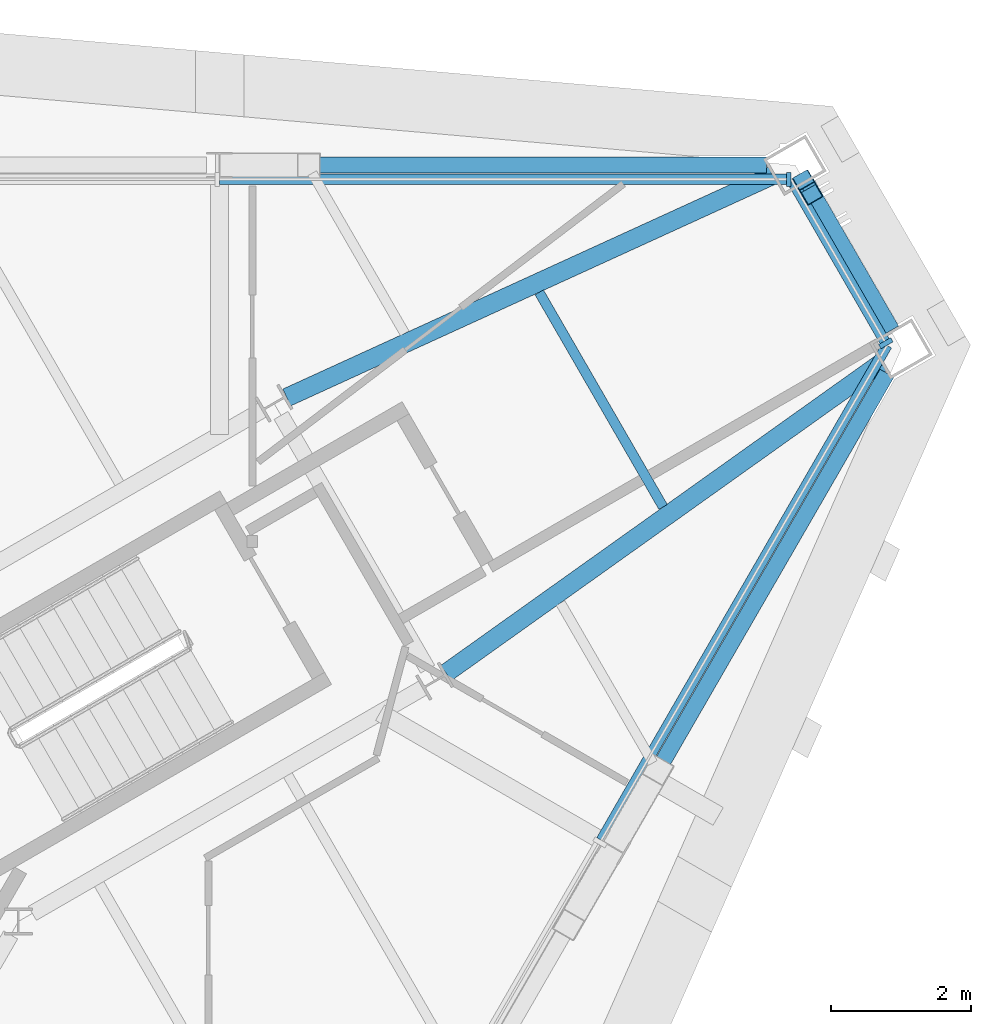
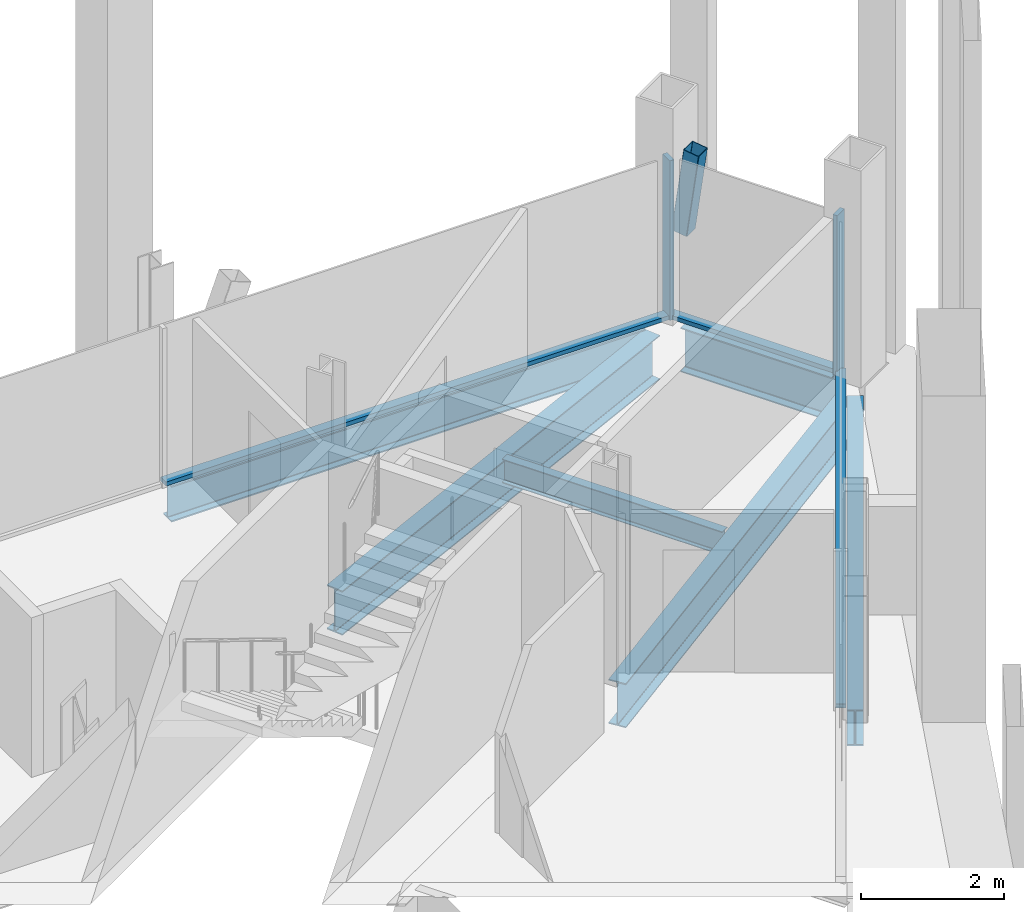
# One storey, part 6 of 13: 6 beams, 6 members, 3 elements without a shape of their own.
"""IFC4 building model written with IfcOpenShell, lengths in metres."""

from ifc_helpers import new_model, si_unit, direction, frame, origin, origin_2d, place, context, subcontext, project, spatial, rectangle, hollow_rectangle, i_section, extrude, material, material_profile, profile_set, type_object, element, aggregate, save


model = new_model("IFC4")

# Units and contexts
model_context = context("Model", 3, precision=1e-05, world=origin(), true_north=direction((0.0, 1.0)))
body_context = subcontext(model_context, "Body", "Model", "MODEL_VIEW")
ifc_project = project(units=[si_unit("LENGTHUNIT", "METRE"), si_unit("AREAUNIT", "SQUARE_METRE"), si_unit("VOLUMEUNIT", "CUBIC_METRE"), si_unit("PLANEANGLEUNIT", "RADIAN"), si_unit("MASSUNIT", "GRAM", prefix="KILO")], contexts=[model_context])

# Site, building, storey
site_placement = place(None, origin())
site = spatial("IfcSite", under=ifc_project, at=site_placement, CompositionType="ELEMENT")
building_placement = place(site_placement, origin())
building = spatial("IfcBuilding", under=site, at=building_placement, Name="Verrane Prism Tower", CompositionType="ELEMENT")
storey_placement = place(building_placement, frame((0.0, 0.0, 286.199951171875)))
storey = spatial("IfcBuildingStorey", under=building, at=storey_placement, Name="L72", CompositionType="ELEMENT", Elevation=286.199951171875)

# Member
ifc_material_1 = material(Name="Steel A500 Grade C", Category="steel")
ifc_material_profile_1 = material_profile(ifc_material_1, hollow_rectangle(XDim=0.25390625, YDim=0.25390625, WallThickness=0.009521484375, InnerFilletRadius=0.0048828125, OuterFilletRadius=0.014404296875, at=origin_2d()), Name="HSS10x10x3/8")
ifc_profile_set_1 = profile_set([ifc_material_profile_1], Name="Steel A500 Grade C")
member_type_1 = type_object("IfcMemberType", Name="Chamfer brace HSS10x10x3/8", PredefinedType="BRACE", material=ifc_profile_set_1)
member_1_placement = place(storey_placement, frame((20.735107421875, 13.416259765625, 1.434814453125), z_axis=(0.067786070904, -0.117484586728, 0.990758507646), x_axis=(0.866164837017, 0.499758416753, 0.0)))
element("IfcMember", 1, at=member_1_placement, inside=storey, type_object=member_type_1, Name="Chamfer brace NE0 L72", PredefinedType="BRACE", context=body_context, shape_type="SweptSolid", body=[
    extrude(hollow_rectangle(XDim=0.25390625, YDim=0.25390625, WallThickness=0.009521484375, InnerFilletRadius=0.0048828125, OuterFilletRadius=0.014404296875, at=origin_2d()), origin(), (0.0, 0.0, 1.0), 1.4443359375),
])

# Beams
ifc_material_2 = material(Name="Steel A992", Category="steel")
ifc_material_profile_2 = material_profile(ifc_material_2, i_section(OverallWidth=0.2666015625, OverallDepth=0.7568359375, WebThickness=0.013916015625, FlangeThickness=0.019287109375, FilletRadius=0.0166015625, at=origin_2d()), Name="W30x108")
ifc_profile_set_2 = profile_set([ifc_material_profile_2], Name="Steel A992")
beam_type_1 = type_object("IfcBeamType", Name="Chamfer spandrel beam W30x108", PredefinedType="SPANDREL", material=ifc_profile_set_2)
beam_1_placement = place(storey_placement, frame((21.969970703125, 11.27978515625, -0.538330078125), z_axis=(-0.500436097356, 0.865773476415, 0.0), x_axis=(-0.865773476415, -0.500436097356, 0.0)))
element("IfcBeam", 2, at=beam_1_placement, inside=storey, type_object=beam_type_1, Name="Chamfer spandrel beam L72", PredefinedType="SPANDREL", context=body_context, shape_type="SweptSolid", body=[
    extrude(i_section(OverallWidth=0.2666015625, OverallDepth=0.7568359375, WebThickness=0.013916015625, FlangeThickness=0.019287109375, FilletRadius=0.0166015625, at=origin_2d()), origin(), (0.0, 0.0, 1.0), 2.437744140625),
])
ifc_material_3 = material(Name="Steel A992", Category="steel")
ifc_material_profile_3 = material_profile(ifc_material_3, i_section(OverallWidth=0.2666015625, OverallDepth=0.7568359375, WebThickness=0.013916015625, FlangeThickness=0.019287109375, FilletRadius=0.0166015625, at=origin_2d()), Name="W30x108")
ifc_profile_set_3 = profile_set([ifc_material_profile_3], Name="Steel A992")
beam_type_2 = type_object("IfcBeamType", Name="Corner girder W30x108", PredefinedType="BEAM", material=ifc_profile_set_3)
for number, where, z_axis, x_axis, name in (
    (3, (21.833740234375, 10.81591796875, -0.598388671875), (-0.814401339816, -0.580302040067, 0.0), (0.580302040067, -0.814401339816, 0.0), "Corner girder L72"),
    (4, (20.2802734375, 13.50390625, -0.598388671875), (-0.909481370613, -0.415744677065, 0.0), (0.415744677065, -0.909481370613, 0.0), "Corner girder L72"),
):
    element("IfcBeam", number, at=place(storey_placement, frame(where, z_axis=z_axis, x_axis=x_axis)), inside=storey, type_object=beam_type_2, Name=name, PredefinedType="BEAM", context=body_context, shape_type="SweptSolid", body=[
        extrude(i_section(OverallWidth=0.2666015625, OverallDepth=0.7568359375, WebThickness=0.013916015625, FlangeThickness=0.019287109375, FilletRadius=0.0166015625, at=origin_2d()), origin(), (0.0, 0.0, 1.0), 7.650634765625),
    ])
ifc_material_4 = material(Name="Steel A992", Category="steel")
ifc_material_profile_4 = material_profile(ifc_material_4, i_section(OverallWidth=0.140380859375, OverallDepth=0.40380859375, WebThickness=0.007080078125, FlangeThickness=0.01123046875, FilletRadius=0.01025390625, at=origin_2d()), Name="W16x31")
ifc_profile_set_4 = profile_set([ifc_material_profile_4], Name="Steel A992")
beam_type_3 = type_object("IfcBeamType", Name="Floor beam W16x31", PredefinedType="BEAM", material=ifc_profile_set_4)
beam_2_placement = place(storey_placement, frame((18.712158203125, 8.755615234375, -0.36181640625), z_axis=(-0.499986454343, 0.866033224232, 0.0), x_axis=(-0.866033224232, -0.499986454343, 0.0)))
element("IfcBeam", 5, at=beam_2_placement, inside=storey, type_object=beam_type_3, Name="Floor beam L72", PredefinedType="BEAM", context=body_context, shape_type="SweptSolid", body=[
    extrude(i_section(OverallWidth=0.140380859375, OverallDepth=0.40380859375, WebThickness=0.007080078125, FlangeThickness=0.01123046875, FilletRadius=0.01025390625, at=origin_2d()), origin(), (0.0, 0.0, 1.0), 3.548828125),
])

# Curtain wall, member
ifc_material_5 = material(Name="Aluminium framed insulated glazing", Category="aluminium")
curtain_wall_type = type_object("IfcCurtainWallType", Name="Curtain wall CW-A 8400 module", PredefinedType="NOTDEFINED", material=ifc_material_5)
curtain_wall_1_placement = place(storey_placement, origin())
curtain_wall_1 = element("IfcCurtainWall", 6, at=curtain_wall_1_placement, inside=storey, type_object=curtain_wall_type, Name="Glazed curtain wall north-east corner L72", PredefinedType="NOTDEFINED")
ifc_material_6 = material(Name="Aluminium alloy 6063-T6", Category="aluminium")
ifc_material_profile_5 = material_profile(ifc_material_6, rectangle(XDim=0.199951171875, YDim=0.070068359375, at=origin_2d()), Name="Mullion 70x200 aluminium")
ifc_profile_set_5 = profile_set([ifc_material_profile_5], Name="Aluminium alloy 6063-T6")
member_type_2 = type_object("IfcMemberType", Name="Mullion 70x200 aluminium", PredefinedType="MULLION", material=ifc_profile_set_5)
member_2_placement = place(storey_placement, frame((21.901123046875, 11.10009765625, 0.0), z_axis=(0.0, 0.0, 1.0), x_axis=(-0.866024225493, -0.500002040855, 0.0)))
member_2 = element("IfcMember", 7, at=member_2_placement, type_object=member_type_2, Name="CW72.1 mullion 1", PredefinedType="MULLION", context=body_context, shape_type="SweptSolid", body=[
    extrude(rectangle(XDim=0.199951171875, YDim=0.070068359375, at=origin_2d()), origin(), (0.0, 0.0, 1.0), 2.72314453125),
])

curtain_wall_2_placement = place(storey_placement, origin())
curtain_wall_2 = element("IfcCurtainWall", 8, at=curtain_wall_2_placement, inside=storey, type_object=curtain_wall_type, Name="Glazed curtain wall north face L72", PredefinedType="NOTDEFINED")
member_3_placement = place(storey_placement, frame((20.510986328125, 13.447265625, 0.0), z_axis=(0.0, 0.0, 1.0), x_axis=(0.0, -1.0, 0.0)))
member_3 = element("IfcMember", 9, at=member_3_placement, type_object=member_type_2, Name="CW72.2 mullion 1", PredefinedType="MULLION", context=body_context, shape_type="SweptSolid", body=[
    extrude(rectangle(XDim=0.199951171875, YDim=0.070068359375, at=origin_2d()), origin(), (0.0, 0.0, 1.0), 2.72314453125),
])

# Beams
ifc_material_7 = material(Name="Steel A992", Category="steel")
ifc_material_profile_6 = material_profile(ifc_material_7, i_section(OverallWidth=0.23046875, OverallDepth=0.6171875, WebThickness=0.01318359375, FlangeThickness=0.022216796875, FilletRadius=0.012939453125, at=origin_2d()), Name="W24x94")
ifc_profile_set_6 = profile_set([ifc_material_profile_6], Name="Steel A992")
beam_type_4 = type_object("IfcBeamType", Name="Spandrel beam W24x94", PredefinedType="SPANDREL", material=ifc_profile_set_6)
beam_3_placement = place(storey_placement, frame((20.19580078125, 13.64990234375, -0.468505859375), z_axis=(-1.0, 0.0, 0.0), x_axis=(0.0, -1.0, 0.0)))
element("IfcBeam", 10, at=beam_3_placement, inside=storey, type_object=beam_type_4, Name="Spandrel beam L72", PredefinedType="SPANDREL", context=body_context, shape_type="SweptSolid", body=[
    extrude(i_section(OverallWidth=0.23046875, OverallDepth=0.6171875, WebThickness=0.01318359375, FlangeThickness=0.022216796875, FilletRadius=0.012939453125, at=origin_2d()), origin(), (0.0, 0.0, 1.0), 7.649169921875),
])
beam_4_placement = place(storey_placement, frame((18.09326171875, 4.041748046875, -0.468505859375), z_axis=(0.499797022492, 0.866142561192, 0.0), x_axis=(-0.866142561192, 0.499797022492, 0.0)))
element("IfcBeam", 11, at=beam_4_placement, inside=storey, type_object=beam_type_4, Name="Spandrel beam L72", PredefinedType="SPANDREL", context=body_context, shape_type="SweptSolid", body=[
    extrude(i_section(OverallWidth=0.23046875, OverallDepth=0.6171875, WebThickness=0.01318359375, FlangeThickness=0.022216796875, FilletRadius=0.012939453125, at=origin_2d()), origin(), (0.0, 0.0, 1.0), 7.652587890625),
])

# Member
ifc_material_8 = material(Name="Aluminium alloy 6063-T6", Category="aluminium")
ifc_material_profile_7 = material_profile(ifc_material_8, rectangle(XDim=0.14990234375, YDim=0.070068359375, at=origin_2d()), Name="Transom 70x150 aluminium")
ifc_profile_set_7 = profile_set([ifc_material_profile_7], Name="Aluminium alloy 6063-T6")
member_type_3 = type_object("IfcMemberType", Name="Transom 70x150 aluminium", PredefinedType="USERDEFINED", material=ifc_profile_set_7)
member_4_placement = place(storey_placement, frame((21.8837890625, 11.13037109375, 0.03515625), z_axis=(-0.499996300355, 0.866027539765, 0.0), x_axis=(-0.866027539765, -0.499996300355, 0.0)))
member_4 = element("IfcMember", 12, at=member_4_placement, type_object=member_type_3, Name="CW72.1 transom 1", ObjectType="TRANSOM", PredefinedType="USERDEFINED", context=body_context, shape_type="SweptSolid", body=[
    extrude(rectangle(XDim=0.14990234375, YDim=0.070068359375, at=origin_2d()), origin(), (0.0, 0.0, 1.0), 2.67529296875),
])

aggregate(curtain_wall_1, [member_2, member_4])

member_5_placement = place(storey_placement, frame((20.47607421875, 13.447265625, 0.03515625), z_axis=(-1.0, 0.0, 0.0), x_axis=(0.0, -1.0, 0.0)))
member_5 = element("IfcMember", 13, at=member_5_placement, type_object=member_type_3, Name="CW72.2 transom 1", ObjectType="TRANSOM", PredefinedType="USERDEFINED", context=body_context, shape_type="SweptSolid", body=[
    extrude(rectangle(XDim=0.14990234375, YDim=0.070068359375, at=origin_2d()), origin(), (0.0, 0.0, 1.0), 8.113525390625),
])

aggregate(curtain_wall_2, [member_3, member_5])

# Curtain wall, member
curtain_wall_3_placement = place(storey_placement, origin())
curtain_wall_3 = element("IfcCurtainWall", 14, at=curtain_wall_3_placement, inside=storey, type_object=curtain_wall_type, Name="Glazed curtain wall south-east face L72", PredefinedType="NOTDEFINED")
member_6_placement = place(storey_placement, frame((17.826904296875, 3.982666015625, 0.03515625), z_axis=(0.500002215902, 0.866024124429, 0.0), x_axis=(-0.866024124429, 0.500002215902, 0.0)))
member_6 = element("IfcMember", 15, at=member_6_placement, type_object=member_type_3, Name="CW72.6 transom 5", ObjectType="TRANSOM", PredefinedType="USERDEFINED", context=body_context, shape_type="SweptSolid", body=[
    extrude(rectangle(XDim=0.14990234375, YDim=0.070068359375, at=origin_2d()), origin(), (0.0, 0.0, 1.0), 8.18359375),
])
aggregate(curtain_wall_3, [member_6])

save(model, "model.ifc")
